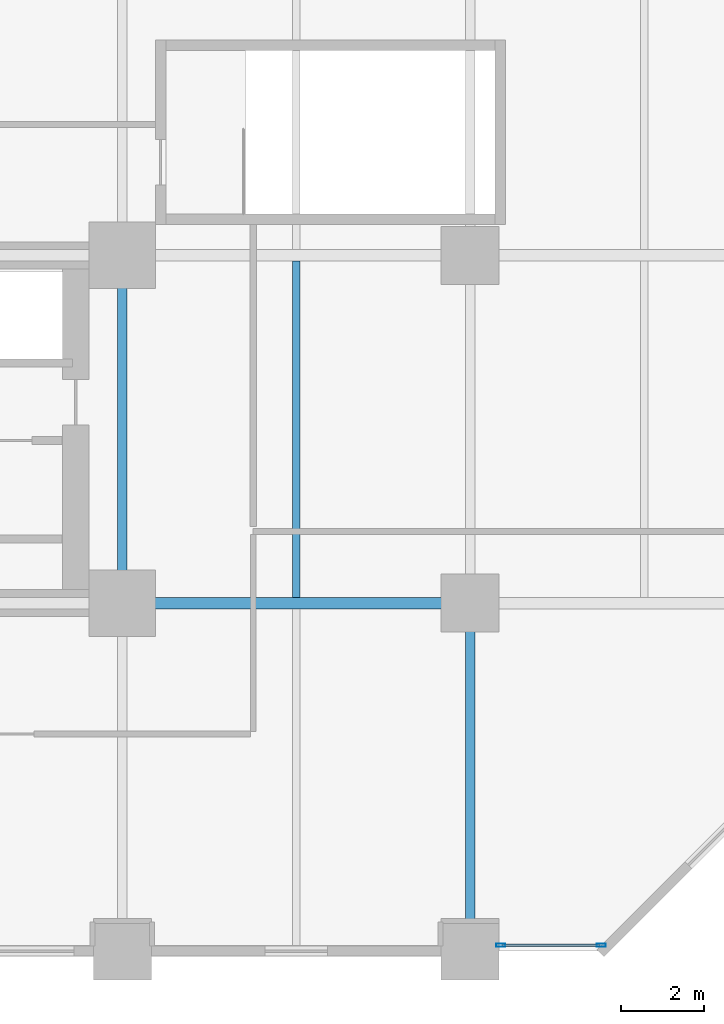
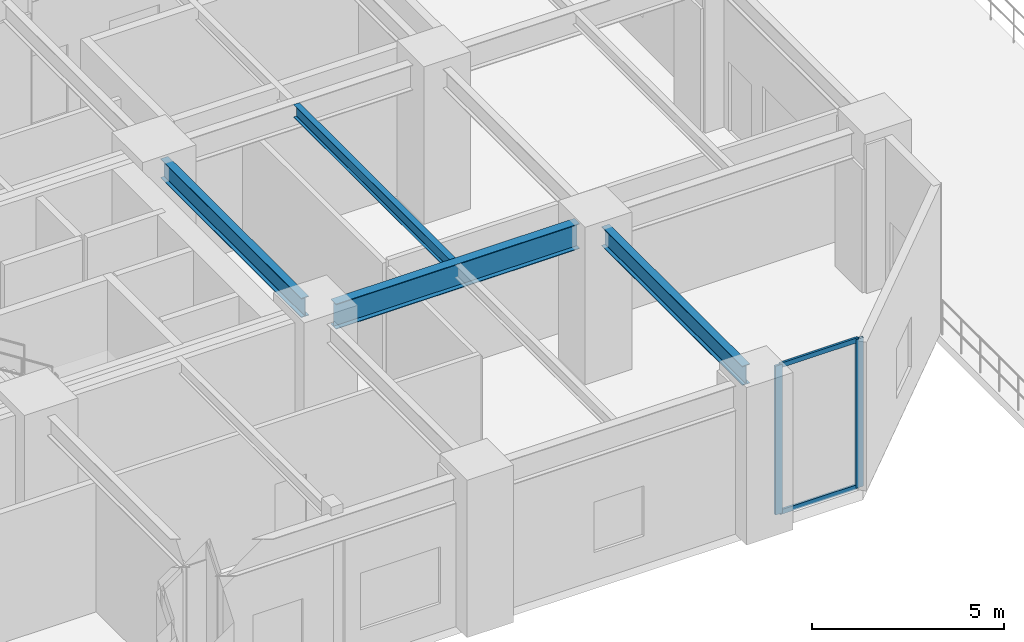
# One storey, part 6 of 21: 4 beams, 4 members, 1 element without a shape of its own.
"""IFC4 building model written with IfcOpenShell, lengths in metres."""

import ifcopenshell
import ifcopenshell.guid

model = None  # the IFC model being written
_history = None  # IfcOwnerHistory: only IFC2X3 demands one
_inside = {}  # id of a spatial element -> (the spatial element, [elements in it])
_under = {}  # id of a project, library or spatial element -> (it, [spatial elements below it])
_declared = {}  # id of a project -> (the project, [libraries it declares])
_typed = {}  # id of a type object -> (the type object, [elements of that type])
_made_of = {}  # id of a material, layer set ... -> (it, [elements and type objects made of it])


def new_model(schema):
    """Start an empty IFC model of exactly this schema.

    Asked for "IFC4X3", IfcOpenShell would pick the latest addendum, in which some entities
    have other attributes; the version numbers below select the first issue.
    IFC2X3 requires an IfcOwnerHistory on every rooted entity: one is made here for all.
    """
    global model, _history
    if schema == "IFC4X3":
        model = ifcopenshell.file(schema_version=(4, 3, 0, 0))
    else:
        model = ifcopenshell.file(schema=schema)
    _inside.clear()
    _under.clear()
    _declared.clear()
    _typed.clear()
    _made_of.clear()
    _history = None
    if model.schema == "IFC2X3":
        org = make("IfcOrganization", Name="unknown")
        user = make(
            "IfcPersonAndOrganization",
            ThePerson=make("IfcPerson", FamilyName="unknown"),
            TheOrganization=org,
        )
        app = make(
            "IfcApplication",
            ApplicationDeveloper=org,
            Version="unknown",
            ApplicationFullName="unknown",
            ApplicationIdentifier="unknown",
        )
        _history = make(
            "IfcOwnerHistory",
            OwningUser=user,
            OwningApplication=app,
            ChangeAction="ADDED",
            CreationDate=0,
        )
    return model


def make(cls, **values):
    """One entity of the class cls with the attributes given. An attribute that is None is left unset."""
    return model.create_entity(
        cls, **{name: value for name, value in values.items() if value is not None}
    )


def rooted(cls, **values):
    """An entity with a GlobalId (a new one), such as an element, a storey or a relation."""
    return make(cls, GlobalId=ifcopenshell.guid.new(), OwnerHistory=_history, **values)


def si_unit(unit_type, name, prefix=None):
    """IfcSIUnit, for example si_unit("LENGTHUNIT", "METRE", prefix="MILLI")."""
    return make("IfcSIUnit", UnitType=unit_type, Prefix=prefix, Name=name)


def assignment(units):
    """IfcUnitAssignment: the units of a project."""
    return None if units is None else make("IfcUnitAssignment", Units=units)


def point(xyz):
    """IfcCartesianPoint."""
    return None if xyz is None else make("IfcCartesianPoint", Coordinates=xyz)


def direction(xyz):
    """IfcDirection."""
    return None if xyz is None else make("IfcDirection", DirectionRatios=xyz)


def frame(location, z_axis=None, x_axis=None):
    """IfcAxis2Placement3D, a coordinate frame: its origin and axes. An axis left out is left unset."""
    return make(
        "IfcAxis2Placement3D",
        Location=point(location),
        Axis=direction(z_axis),
        RefDirection=direction(x_axis),
    )


def frame_2d(location, x_axis=None):
    """IfcAxis2Placement2D, a coordinate frame in the plane: its origin and x axis."""
    return make(
        "IfcAxis2Placement2D", Location=point(location), RefDirection=direction(x_axis)
    )


def origin():
    """The frame at (0, 0, 0) with its axes left unset."""
    return frame((0.0, 0.0, 0.0))


def origin_2d():
    """The frame at (0, 0) in the plane with its x axis left unset."""
    return frame_2d((0.0, 0.0))


def place(relative_to, where):
    """IfcLocalPlacement: puts the frame where relative to a parent placement (None: the world)."""
    return make(
        "IfcLocalPlacement", PlacementRelTo=relative_to, RelativePlacement=where
    )


def context(
    kind, dimensions, precision=None, world=None, true_north=None, identifier=None
):
    """IfcGeometricRepresentationContext, for example the 3D "Model" context."""
    return make(
        "IfcGeometricRepresentationContext",
        ContextIdentifier=identifier,
        ContextType=kind,
        CoordinateSpaceDimension=dimensions,
        Precision=precision,
        WorldCoordinateSystem=world,
        TrueNorth=true_north,
    )


def subcontext(parent, identifier, kind, view, scale=None):
    """IfcGeometricRepresentationSubContext, for example "Body" below "Model"."""
    return make(
        "IfcGeometricRepresentationSubContext",
        ContextIdentifier=identifier,
        ContextType=kind,
        ParentContext=parent,
        TargetScale=scale,
        TargetView=view,
    )


def project(units=None, contexts=None):
    """IfcProject with its units and contexts."""
    return rooted(
        "IfcProject",
        Name="project",
        RepresentationContexts=contexts,
        UnitsInContext=assignment(units),
    )


def spatial(cls, under=None, at=None, **own):
    """A site, building, storey or space (cls), placed at a placement, below another one or the project."""
    s = rooted(cls, ObjectPlacement=at, **own)
    if under is not None:
        _under.setdefault(under.id(), (under, []))[1].append(s)
    return s


def profile(cls, at=None, kind="AREA", **sizes):
    """A parametric profile (cls). Its sizes go by their IFC names, for example OverallWidth=200.0."""
    return make(cls, ProfileType=kind, Position=at, **sizes)


def hollow_rectangle(**sizes):
    """IfcRectangleHollowProfileDef."""
    return profile("IfcRectangleHollowProfileDef", **sizes)


def i_section(**sizes):
    """IfcIShapeProfileDef."""
    return profile("IfcIShapeProfileDef", **sizes)


def extrude(swept, where, along, depth):
    """IfcExtrudedAreaSolid: the profile swept, set in the frame where, extruded along a direction by depth."""
    return make(
        "IfcExtrudedAreaSolid",
        SweptArea=swept,
        Position=where,
        ExtrudedDirection=direction(along),
        Depth=depth,
    )


def shape(context_of_items, identifier, shape_type, items):
    """IfcShapeRepresentation: the items that make up one representation, for example the "Body"."""
    return make(
        "IfcShapeRepresentation",
        ContextOfItems=context_of_items,
        RepresentationIdentifier=identifier,
        RepresentationType=shape_type,
        Items=items,
    )


def material(Name=None, Category=None):
    """IfcMaterial."""
    return make("IfcMaterial", Name=Name, Category=Category)


def layer(
    of_material, thickness, ventilated=None, Name=None, Category=None, Priority=None
):
    """IfcMaterialLayer: one layer of a wall or slab, of a material (None: an air gap)."""
    return make(
        "IfcMaterialLayer",
        Material=of_material,
        LayerThickness=thickness,
        IsVentilated=ventilated,
        Name=Name,
        Category=Category,
        Priority=Priority,
    )


def layer_set(layers, Name=None):
    """IfcMaterialLayerSet."""
    return make("IfcMaterialLayerSet", MaterialLayers=layers, LayerSetName=Name)


def material_profile(
    of_material, cross_section, Name=None, Category=None, Priority=None
):
    """IfcMaterialProfile: a cross section and its material."""
    return make(
        "IfcMaterialProfile",
        Name=Name,
        Material=of_material,
        Profile=cross_section,
        Priority=Priority,
        Category=Category,
    )


def profile_set(profiles, Name=None, composite=None):
    """IfcMaterialProfileSet."""
    return make(
        "IfcMaterialProfileSet",
        Name=Name,
        MaterialProfiles=profiles,
        CompositeProfile=composite,
    )


def made_of(thing, what):
    """Note that an element or type object is made of a material, layer set ...; save() writes the relation."""
    if what is not None:
        _made_of.setdefault(what.id(), (what, []))[1].append(thing)
    return thing


def type_object(cls, material=None, **own):
    """A type object (cls), such as IfcWallType, which elements share."""
    return made_of(rooted(cls, **own), material)


def element(
    cls,
    number,
    at=None,
    inside=None,
    cuts=None,
    type_object=None,
    material=None,
    context=None,
    identifier="Body",
    shape_type=None,
    held_by="IfcProductDefinitionShape",
    body=None,
    shapes=None,
    **own,
):
    """One element of the class cls, such as IfcWall. Its Tag is "e" and its number.

    at: its placement. inside: the storey or other place that contains it. cuts: it is an
    opening in that element (IfcRelVoidsElement). A single representation is given by context,
    identifier, shape_type and body (its items); several are given by shapes. held_by: the class
    of the entity that holds the representations. save() writes the other relations.
    """
    e = rooted(cls, Tag="e%d" % number, ObjectPlacement=at, **own)
    if body is not None:
        shapes = [shape(context, identifier, shape_type, body)]
    if shapes is not None:
        e.Representation = make(held_by, Representations=shapes)
    if inside is not None:
        _inside.setdefault(inside.id(), (inside, []))[1].append(e)
    if cuts is not None:
        rooted(
            "IfcRelVoidsElement", RelatingBuildingElement=cuts, RelatedOpeningElement=e
        )
    if type_object is not None:
        _typed.setdefault(type_object.id(), (type_object, []))[1].append(e)
    return made_of(e, material)


def aggregate(whole, parts):
    """IfcRelAggregates: a whole, such as a stair, and the parts it consists of."""
    return rooted("IfcRelAggregates", RelatingObject=whole, RelatedObjects=parts)


def save(model, path):
    """Write the relations noted so far, then the file.

    IfcRelAggregates (storeys below a building ...), IfcRelContainedInSpatialStructure (elements
    in a storey), IfcRelDefinesByType, IfcRelAssociatesMaterial and IfcRelDeclares: one each for
    every whole, place, type object, material and project.
    """
    for whole, parts in _under.values():
        aggregate(whole, parts)
    for where, things in _inside.values():
        rooted(
            "IfcRelContainedInSpatialStructure",
            RelatedElements=things,
            RelatingStructure=where,
        )
    for kind, things in _typed.values():
        rooted("IfcRelDefinesByType", RelatedObjects=things, RelatingType=kind)
    for what, things in _made_of.values():
        rooted("IfcRelAssociatesMaterial", RelatedObjects=things, RelatingMaterial=what)
    for by, libraries in _declared.values():
        rooted("IfcRelDeclares", RelatingContext=by, RelatedDefinitions=libraries)
    model.write(path)


model = new_model("IFC4")

# Units and contexts
model_context = context("Model", 3, precision=1e-05, world=origin(), true_north=direction((0.0, 1.0)))
body_context = subcontext(model_context, "Body", "Model", "MODEL_VIEW")
ifc_project = project(units=[si_unit("LENGTHUNIT", "METRE"), si_unit("AREAUNIT", "SQUARE_METRE"), si_unit("VOLUMEUNIT", "CUBIC_METRE"), si_unit("PLANEANGLEUNIT", "RADIAN"), si_unit("MASSUNIT", "GRAM", prefix="KILO")], contexts=[model_context])

# Site, building, storey
site_placement = place(None, origin())
site = spatial("IfcSite", under=ifc_project, at=site_placement, CompositionType="ELEMENT")
building_placement = place(site_placement, origin())
building = spatial("IfcBuilding", under=site, at=building_placement, Name="Nerrivon Quay Data Exchange", CompositionType="ELEMENT")
storey_placement = place(building_placement, frame((0.0, 0.0, 19.800048828125)))
storey = spatial("IfcBuildingStorey", under=building, at=storey_placement, Name="L04", CompositionType="ELEMENT", Elevation=19.800048828125)

# Beams
ifc_material_1 = material(Name="Steel Grade 350", Category="steel")
ifc_material_profile_1 = material_profile(ifc_material_1, i_section(OverallWidth=0.22900390625, OverallDepth=0.612060546875, WebThickness=0.011962890625, FlangeThickness=0.01953125, FilletRadius=0.013916015625, at=origin_2d()), Name="610UB125")
ifc_profile_set_1 = profile_set([ifc_material_profile_1], Name="Steel Grade 350")
beam_type_1 = type_object("IfcBeamType", Name="BM-G1-610UB125", PredefinedType="BEAM", material=ifc_profile_set_1)
for number, where, z_axis, x_axis, name in (
    (1, (33.60009765625, 8.93994140625, 4.4189453125), (0.0, 1.0, 0.0), (-1.0, 0.0, 0.0), "L04 NS Girder X=33.6 (8.4..16.8)"),
    (2, (42.0, 0.5400390625, 4.4189453125), (0.0, 1.0, 0.0), (-1.0, 0.0, 0.0), "L04 NS Girder X=42.0 (0.0..8.4)"),
):
    element("IfcBeam", number, at=place(storey_placement, frame(where, z_axis=z_axis, x_axis=x_axis)), inside=storey, type_object=beam_type_1, Name=name, PredefinedType="BEAM", context=body_context, shape_type="SweptSolid", body=[
        extrude(i_section(OverallWidth=0.22900390625, OverallDepth=0.612060546875, WebThickness=0.011962890625, FlangeThickness=0.01953125, FilletRadius=0.013916015625, at=origin_2d()), origin(), (0.0, 0.0, 1.0), 7.320068359375),
    ])
ifc_material_profile_2 = material_profile(ifc_material_1, i_section(OverallWidth=0.27490234375, OverallDepth=0.800048828125, WebThickness=0.010009765625, FlangeThickness=0.02001953125, at=origin_2d()), Name="800WB146")
ifc_profile_set_2 = profile_set([ifc_material_profile_2], Name="Steel Grade 350")
beam_type_2 = type_object("IfcBeamType", Name="BM-G8-800WB146", PredefinedType="BEAM", material=ifc_profile_set_2)
beam_1_placement = place(storey_placement, frame((34.139892578125, 8.39990234375, 4.324951171875), z_axis=(1.0, 0.0, 0.0), x_axis=(0.0, 1.0, 0.0)))
element("IfcBeam", 3, at=beam_1_placement, inside=storey, type_object=beam_type_2, Name="L04 EW Girder Y=8.4 (33.6..42.0)", PredefinedType="BEAM", context=body_context, shape_type="SweptSolid", body=[
    extrude(i_section(OverallWidth=0.27490234375, OverallDepth=0.800048828125, WebThickness=0.010009765625, FlangeThickness=0.02001953125, at=origin_2d()), origin(), (0.0, 0.0, 1.0), 7.320068359375),
])
ifc_material_profile_3 = material_profile(ifc_material_1, i_section(OverallWidth=0.177978515625, OverallDepth=0.403076171875, WebThickness=0.007568359375, FlangeThickness=0.010986328125, FilletRadius=0.011474609375, at=origin_2d()), Name="410UB53.7")
ifc_profile_set_3 = profile_set([ifc_material_profile_3], Name="Steel Grade 350")
beam_type_3 = type_object("IfcBeamType", Name="BM-J2-410UB54", PredefinedType="JOIST", material=ifc_profile_set_3)
beam_2_placement = place(storey_placement, frame((37.800048828125, 8.53759765625, 4.5234375), z_axis=(0.0, 1.0, 0.0), x_axis=(-1.0, 0.0, 0.0)))
element("IfcBeam", 4, at=beam_2_placement, inside=storey, type_object=beam_type_3, Name="L04 Secondary Joist X=37.8 (8.4..16.8)", PredefinedType="JOIST", context=body_context, shape_type="SweptSolid", body=[
    extrude(i_section(OverallWidth=0.177978515625, OverallDepth=0.403076171875, WebThickness=0.007568359375, FlangeThickness=0.010986328125, FilletRadius=0.011474609375, at=origin_2d()), origin(), (0.0, 0.0, 1.0), 8.125),
])

# Curtain wall, members
ifc_material_2 = material(Name="Anodised aluminium 6063-T6", Category="aluminium")
ifc_layer = layer(ifc_material_2, 0.239990234375)
ifc_layer_set = layer_set([ifc_layer], Name="Anodised aluminium 6063-T6")
curtain_wall_type = type_object("IfcCurtainWallType", Name="CW-SYS-03", PredefinedType="NOTDEFINED", material=ifc_layer_set)
curtain_wall_placement = place(storey_placement, origin())
curtain_wall = element("IfcCurtainWall", 5, at=curtain_wall_placement, inside=storey, type_object=curtain_wall_type, Name="L04 Unitised Curtain Wall 2", PredefinedType="NOTDEFINED")
ifc_material_profile_4 = material_profile(ifc_material_2, hollow_rectangle(XDim=0.074951171875, YDim=0.219970703125, WallThickness=0.00390625, at=origin_2d()), Name="ALU-MULL-220x75")
ifc_profile_set_4 = profile_set([ifc_material_profile_4], Name="Anodised aluminium 6063-T6")
member_type_1 = type_object("IfcMemberType", Name="CWM-220x75", PredefinedType="MULLION", material=ifc_profile_set_4)
member_1_placement = place(storey_placement, frame((45.16259765625, 0.139892578125, 0.0), z_axis=(0.0, 0.0, 1.0), x_axis=(0.0, -1.0, 0.0)))
member_1 = element("IfcMember", 6, at=member_1_placement, type_object=member_type_1, Name="CW03 mullion 1", PredefinedType="MULLION", context=body_context, shape_type="SweptSolid", body=[
    extrude(hollow_rectangle(XDim=0.074951171875, YDim=0.219970703125, WallThickness=0.00390625, at=origin_2d()), origin(), (0.0, 0.0, 1.0), 4.724853515625),
])
member_2_placement = place(storey_placement, frame((42.737548828125, 0.139892578125, 0.0), z_axis=(0.0, 0.0, 1.0), x_axis=(0.0, -1.0, 0.0)))
member_2 = element("IfcMember", 7, at=member_2_placement, type_object=member_type_1, Name="CW03 mullion 2", PredefinedType="MULLION", context=body_context, shape_type="SweptSolid", body=[
    extrude(hollow_rectangle(XDim=0.074951171875, YDim=0.219970703125, WallThickness=0.00390625, at=origin_2d()), origin(), (0.0, 0.0, 1.0), 4.724853515625),
])
ifc_material_profile_5 = material_profile(ifc_material_2, hollow_rectangle(XDim=0.06494140625, YDim=0.14990234375, WallThickness=0.00341796875, at=origin_2d()), Name="ALU-TRAN-150x65")
ifc_profile_set_5 = profile_set([ifc_material_profile_5], Name="Anodised aluminium 6063-T6")
member_type_2 = type_object("IfcMemberType", Name="CWT-150x65", PredefinedType="USERDEFINED", material=ifc_profile_set_5)
member_3_placement = place(storey_placement, frame((45.125, 0.139892578125, 0.032470703125), z_axis=(-1.0, 0.0, 0.0), x_axis=(0.0, -1.0, 0.0)))
member_3 = element("IfcMember", 8, at=member_3_placement, type_object=member_type_2, Name="CW03 transom 1.1", ObjectType="TRANSOM", PredefinedType="USERDEFINED", context=body_context, shape_type="SweptSolid", body=[
    extrude(hollow_rectangle(XDim=0.06494140625, YDim=0.14990234375, WallThickness=0.00341796875, at=origin_2d()), origin(), (0.0, 0.0, 1.0), 2.35009765625),
])
member_4_placement = place(storey_placement, frame((45.125, 0.139892578125, 4.6923828125), z_axis=(-1.0, 0.0, 0.0), x_axis=(0.0, -1.0, 0.0)))
member_4 = element("IfcMember", 9, at=member_4_placement, type_object=member_type_2, Name="CW03 transom 1.2", ObjectType="TRANSOM", PredefinedType="USERDEFINED", context=body_context, shape_type="SweptSolid", body=[
    extrude(hollow_rectangle(XDim=0.06494140625, YDim=0.14990234375, WallThickness=0.00341796875, at=origin_2d()), origin(), (0.0, 0.0, 1.0), 2.35009765625),
])
aggregate(curtain_wall, [member_1, member_2, member_3, member_4])

save(model, "model.ifc")
